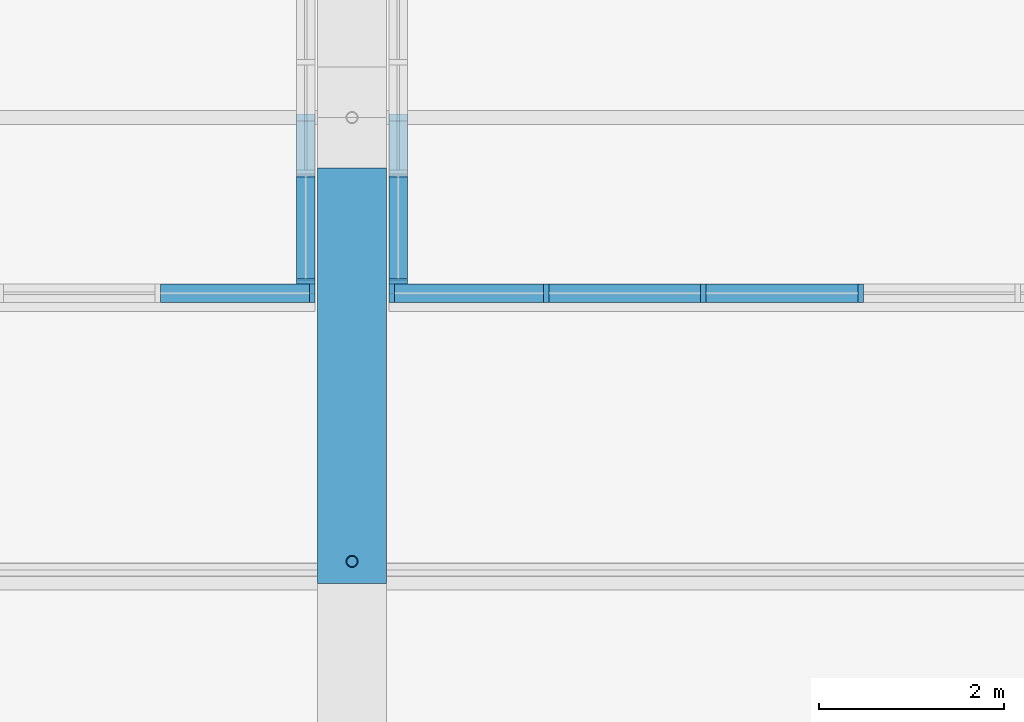
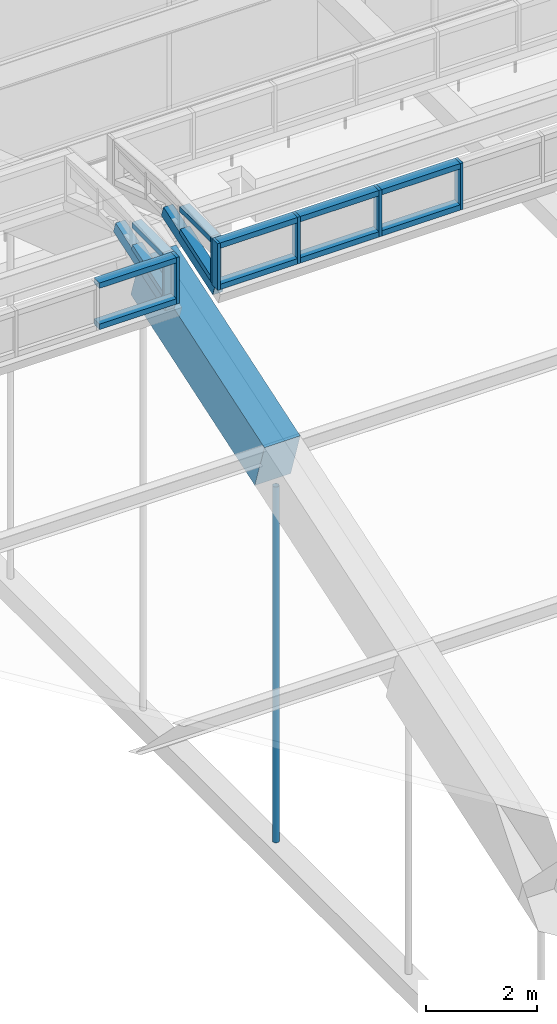
# One storey, part 36 of 149: 22 members, 1 beam, 4 elements without a shape of their own.
"""IFC4 building model written with IfcOpenShell, lengths in metres."""

from ifc_helpers import new_model, si_unit, direction, frame, origin, origin_2d, place, context, subcontext, project, spatial, rectangle, hollow_circle, extrude, material, material_profile, profile_set, type_object, element, aggregate, save


model = new_model("IFC4")

# Units and contexts
model_context = context("Model", 3, precision=1e-05, world=origin(), true_north=direction((0.0, 1.0)))
body_context = subcontext(model_context, "Body", "Model", "MODEL_VIEW")
ifc_project = project(units=[si_unit("LENGTHUNIT", "METRE"), si_unit("AREAUNIT", "SQUARE_METRE"), si_unit("VOLUMEUNIT", "CUBIC_METRE"), si_unit("PLANEANGLEUNIT", "RADIAN"), si_unit("MASSUNIT", "GRAM", prefix="KILO")], contexts=[model_context])

# Site, building, storey
site_placement = place(None, origin())
site = spatial("IfcSite", under=ifc_project, at=site_placement, CompositionType="ELEMENT")
building_placement = place(site_placement, origin())
building = spatial("IfcBuilding", under=site, at=building_placement, Name="Alderwick Market Hall", CompositionType="ELEMENT")
storey_placement = place(building_placement, frame((0.0, 0.0, 9.60009765625)))
storey = spatial("IfcBuildingStorey", under=building, at=storey_placement, Name="L01", CompositionType="ELEMENT", Elevation=9.60009765625)

# Beam
ifc_material_1 = material(Name="Concrete 5000 psi (f'c 35 MPa)", Category="concrete")
ifc_material_profile_1 = material_profile(ifc_material_1, rectangle(XDim=0.75, YDim=1.10009765625, at=origin_2d()), Name="RC 750x1100")
ifc_profile_set_1 = profile_set([ifc_material_profile_1], Name="Concrete 5000 psi (f'c 35 MPa)")
beam_type = type_object("IfcBeamType", Name="R Arch Rib Crown 750x1100", PredefinedType="BEAM", material=ifc_profile_set_1)
beam_placement = place(storey_placement, frame((79.199951171875, 74.336669921875, 14.78955078125), z_axis=(0.0, 0.948678138981, 0.316243242806), x_axis=(-1.0, 0.0, 0.0)))
element("IfcBeam", 1, at=beam_placement, inside=storey, type_object=beam_type, Name="Arch rib 3 chord 6", PredefinedType="BEAM", context=body_context, shape_type="SweptSolid", body=[
    extrude(rectangle(XDim=0.75, YDim=1.10009765625, at=origin_2d()), origin(), (0.0, 0.0, 1.0), 4.732421875),
])

# Curtain wall, member
ifc_material_2 = material(Name="Aluminium", Category="aluminium")
curtain_wall_type = type_object("IfcCurtainWallType", Name="R Curtain Wall Frame", PredefinedType="NOTDEFINED", material=ifc_material_2)
curtain_wall_1_placement = place(storey_placement, origin())
curtain_wall_1 = element("IfcCurtainWall", 2, at=curtain_wall_1_placement, inside=storey, type_object=curtain_wall_type, Name="Curtain wall LCW S2", PredefinedType="NOTDEFINED")
ifc_material_profile_2 = material_profile(ifc_material_2, rectangle(XDim=0.199951171875, YDim=0.06005859375, at=origin_2d()), Name="AL 60x200")
ifc_profile_set_2 = profile_set([ifc_material_profile_2], Name="Aluminium")
member_type_1 = type_object("IfcMemberType", Name="R CW Mullion 60x200", PredefinedType="MULLION", material=ifc_profile_set_2)
member_1_placement = place(storey_placement, frame((78.77001953125, 77.300048828125, 16.670166015625), z_axis=(0.0, 0.0, 1.0), x_axis=(0.0, 1.0, 0.0)))
member_1 = element("IfcMember", 3, at=member_1_placement, type_object=member_type_1, Name="LCW S2 mullion 9", PredefinedType="MULLION", context=body_context, shape_type="SweptSolid", body=[
    extrude(rectangle(XDim=0.199951171875, YDim=0.06005859375, at=origin_2d()), origin(), (0.0, 0.0, 1.0), 1.02978515625),
])

curtain_wall_2_placement = place(storey_placement, origin())
curtain_wall_2 = element("IfcCurtainWall", 4, at=curtain_wall_2_placement, inside=storey, type_object=curtain_wall_type, Name="Curtain wall LCW E2", PredefinedType="NOTDEFINED")
member_2_placement = place(storey_placement, frame((78.699951171875, 77.429931640625, 16.713623046875), z_axis=(0.0, 0.0, 1.0), x_axis=(1.0, 0.0, 0.0)))
member_2 = element("IfcMember", 5, at=member_2_placement, type_object=member_type_1, Name="LCW E2 mullion 1", PredefinedType="MULLION", context=body_context, shape_type="SweptSolid", body=[
    extrude(rectangle(XDim=0.199951171875, YDim=0.06005859375, at=origin_2d()), origin(), (0.0, 0.0, 1.0), 0.986328125),
])

# Curtain wall, members
curtain_wall_3_placement = place(storey_placement, origin())
curtain_wall_3 = element("IfcCurtainWall", 6, at=curtain_wall_3_placement, inside=storey, type_object=curtain_wall_type, Name="Curtain wall LCW S3", PredefinedType="NOTDEFINED")
member_3_placement = place(storey_placement, frame((79.6298828125, 77.300048828125, 16.670166015625), z_axis=(0.0, 0.0, 1.0), x_axis=(0.0, 1.0, 0.0)))
member_3 = element("IfcMember", 7, at=member_3_placement, type_object=member_type_1, Name="LCW S3 mullion 1", PredefinedType="MULLION", context=body_context, shape_type="SweptSolid", body=[
    extrude(rectangle(XDim=0.199951171875, YDim=0.06005859375, at=origin_2d()), origin(), (0.0, 0.0, 1.0), 1.02978515625),
])
member_4_placement = place(storey_placement, frame((81.300048828125, 77.300048828125, 16.670166015625), z_axis=(0.0, 0.0, 1.0), x_axis=(0.0, 1.0, 0.0)))
member_4 = element("IfcMember", 8, at=member_4_placement, type_object=member_type_1, Name="LCW S3 mullion 2", PredefinedType="MULLION", context=body_context, shape_type="SweptSolid", body=[
    extrude(rectangle(XDim=0.199951171875, YDim=0.06005859375, at=origin_2d()), origin(), (0.0, 0.0, 1.0), 1.02978515625),
])
member_5_placement = place(storey_placement, frame((83.0, 77.300048828125, 16.670166015625), z_axis=(0.0, 0.0, 1.0), x_axis=(0.0, 1.0, 0.0)))
member_5 = element("IfcMember", 9, at=member_5_placement, type_object=member_type_1, Name="LCW S3 mullion 3", PredefinedType="MULLION", context=body_context, shape_type="SweptSolid", body=[
    extrude(rectangle(XDim=0.199951171875, YDim=0.06005859375, at=origin_2d()), origin(), (0.0, 0.0, 1.0), 1.02978515625),
])
member_6_placement = place(storey_placement, frame((84.699951171875, 77.300048828125, 16.670166015625), z_axis=(0.0, 0.0, 1.0), x_axis=(0.0, 1.0, 0.0)))
member_6 = element("IfcMember", 10, at=member_6_placement, type_object=member_type_1, Name="LCW S3 mullion 4", PredefinedType="MULLION", context=body_context, shape_type="SweptSolid", body=[
    extrude(rectangle(XDim=0.199951171875, YDim=0.06005859375, at=origin_2d()), origin(), (0.0, 0.0, 1.0), 1.02978515625),
])

# Curtain wall, member
curtain_wall_4_placement = place(storey_placement, origin())
curtain_wall_4 = element("IfcCurtainWall", 11, at=curtain_wall_4_placement, inside=storey, type_object=curtain_wall_type, Name="Curtain wall LCW W3", PredefinedType="NOTDEFINED")
member_7_placement = place(storey_placement, frame((79.699951171875, 77.429931640625, 16.713623046875), z_axis=(0.0, 0.0, 1.0), x_axis=(1.0, 0.0, 0.0)))
member_7 = element("IfcMember", 12, at=member_7_placement, type_object=member_type_1, Name="LCW W3 mullion 1", PredefinedType="MULLION", context=body_context, shape_type="SweptSolid", body=[
    extrude(rectangle(XDim=0.199951171875, YDim=0.06005859375, at=origin_2d()), origin(), (0.0, 0.0, 1.0), 0.986328125),
])

# Member
ifc_material_profile_3 = material_profile(ifc_material_2, rectangle(XDim=0.199951171875, YDim=0.1201171875, at=origin_2d()), Name="AL 120x200")
ifc_profile_set_3 = profile_set([ifc_material_profile_3], Name="Aluminium")
member_type_2 = type_object("IfcMemberType", Name="R CW Transom 120x200", PredefinedType="USERDEFINED", material=ifc_profile_set_3)
member_8_placement = place(storey_placement, frame((77.1298828125, 77.300048828125, 16.730224609375), z_axis=(1.0, 0.0, 0.0), x_axis=(0.0, 1.0, 0.0)))
member_8 = element("IfcMember", 13, at=member_8_placement, type_object=member_type_2, Name="LCW S2 sill transom 8", ObjectType="TRANSOM", PredefinedType="USERDEFINED", context=body_context, shape_type="SweptSolid", body=[
    extrude(rectangle(XDim=0.199951171875, YDim=0.1201171875, at=origin_2d()), origin(), (0.0, 0.0, 1.0), 1.610107421875),
])

member_9_placement = place(storey_placement, frame((77.1298828125, 77.300048828125, 17.639892578125), z_axis=(1.0, 0.0, 0.0), x_axis=(0.0, 1.0, 0.0)))
member_9 = element("IfcMember", 14, at=member_9_placement, type_object=member_type_2, Name="LCW S2 head transom 8", ObjectType="TRANSOM", PredefinedType="USERDEFINED", context=body_context, shape_type="SweptSolid", body=[
    extrude(rectangle(XDim=0.199951171875, YDim=0.1201171875, at=origin_2d()), origin(), (0.0, 0.0, 1.0), 1.610107421875),
])

aggregate(curtain_wall_1, [member_1, member_8, member_9])

member_10_placement = place(storey_placement, frame((78.699951171875, 77.4599609375, 16.783447265625), z_axis=(0.0, 0.948662432506, 0.316290355768), x_axis=(-1.0, 0.0, 0.0)))
member_10 = element("IfcMember", 15, at=member_10_placement, type_object=member_type_2, Name="LCW E2 sill transom 1", ObjectType="TRANSOM", PredefinedType="USERDEFINED", context=body_context, shape_type="SweptSolid", body=[
    extrude(rectangle(XDim=0.199951171875, YDim=0.1201171875, at=origin_2d()), origin(), (0.0, 0.0, 1.0), 1.170166015625),
])

member_11_placement = place(storey_placement, frame((78.699951171875, 77.4599609375, 17.639892578125), z_axis=(0.0, 1.0, 0.0), x_axis=(-1.0, 0.0, 0.0)))
member_11 = element("IfcMember", 16, at=member_11_placement, type_object=member_type_2, Name="LCW E2 head transom 1", ObjectType="TRANSOM", PredefinedType="USERDEFINED", context=body_context, shape_type="SweptSolid", body=[
    extrude(rectangle(XDim=0.199951171875, YDim=0.1201171875, at=origin_2d()), origin(), (0.0, 0.0, 1.0), 1.110107421875),
])

member_12_placement = place(storey_placement, frame((79.659912109375, 77.300048828125, 16.730224609375), z_axis=(1.0, 0.0, 0.0), x_axis=(0.0, 1.0, 0.0)))
member_12 = element("IfcMember", 17, at=member_12_placement, type_object=member_type_2, Name="LCW S3 sill transom 1", ObjectType="TRANSOM", PredefinedType="USERDEFINED", context=body_context, shape_type="SweptSolid", body=[
    extrude(rectangle(XDim=0.199951171875, YDim=0.1201171875, at=origin_2d()), origin(), (0.0, 0.0, 1.0), 1.610107421875),
])

member_13_placement = place(storey_placement, frame((79.659912109375, 77.300048828125, 17.639892578125), z_axis=(1.0, 0.0, 0.0), x_axis=(0.0, 1.0, 0.0)))
member_13 = element("IfcMember", 18, at=member_13_placement, type_object=member_type_2, Name="LCW S3 head transom 1", ObjectType="TRANSOM", PredefinedType="USERDEFINED", context=body_context, shape_type="SweptSolid", body=[
    extrude(rectangle(XDim=0.199951171875, YDim=0.1201171875, at=origin_2d()), origin(), (0.0, 0.0, 1.0), 1.610107421875),
])

member_14_placement = place(storey_placement, frame((81.330078125, 77.300048828125, 16.730224609375), z_axis=(1.0, 0.0, 0.0), x_axis=(0.0, 1.0, 0.0)))
member_14 = element("IfcMember", 19, at=member_14_placement, type_object=member_type_2, Name="LCW S3 sill transom 2", ObjectType="TRANSOM", PredefinedType="USERDEFINED", context=body_context, shape_type="SweptSolid", body=[
    extrude(rectangle(XDim=0.199951171875, YDim=0.1201171875, at=origin_2d()), origin(), (0.0, 0.0, 1.0), 1.639892578125),
])

member_15_placement = place(storey_placement, frame((81.330078125, 77.300048828125, 17.639892578125), z_axis=(1.0, 0.0, 0.0), x_axis=(0.0, 1.0, 0.0)))
member_15 = element("IfcMember", 20, at=member_15_placement, type_object=member_type_2, Name="LCW S3 head transom 2", ObjectType="TRANSOM", PredefinedType="USERDEFINED", context=body_context, shape_type="SweptSolid", body=[
    extrude(rectangle(XDim=0.199951171875, YDim=0.1201171875, at=origin_2d()), origin(), (0.0, 0.0, 1.0), 1.639892578125),
])

member_16_placement = place(storey_placement, frame((83.030029296875, 77.300048828125, 16.730224609375), z_axis=(1.0, 0.0, 0.0), x_axis=(0.0, 1.0, 0.0)))
member_16 = element("IfcMember", 21, at=member_16_placement, type_object=member_type_2, Name="LCW S3 sill transom 3", ObjectType="TRANSOM", PredefinedType="USERDEFINED", context=body_context, shape_type="SweptSolid", body=[
    extrude(rectangle(XDim=0.199951171875, YDim=0.1201171875, at=origin_2d()), origin(), (0.0, 0.0, 1.0), 1.639892578125),
])

member_17_placement = place(storey_placement, frame((83.030029296875, 77.300048828125, 17.639892578125), z_axis=(1.0, 0.0, 0.0), x_axis=(0.0, 1.0, 0.0)))
member_17 = element("IfcMember", 22, at=member_17_placement, type_object=member_type_2, Name="LCW S3 head transom 3", ObjectType="TRANSOM", PredefinedType="USERDEFINED", context=body_context, shape_type="SweptSolid", body=[
    extrude(rectangle(XDim=0.199951171875, YDim=0.1201171875, at=origin_2d()), origin(), (0.0, 0.0, 1.0), 1.639892578125),
])

aggregate(curtain_wall_3, [member_3, member_4, member_5, member_6, member_12, member_13, member_14, member_15, member_16, member_17])

member_18_placement = place(storey_placement, frame((79.699951171875, 77.4599609375, 16.783447265625), z_axis=(0.0, 0.948662432506, 0.316290355768), x_axis=(-1.0, 0.0, 0.0)))
member_18 = element("IfcMember", 23, at=member_18_placement, type_object=member_type_2, Name="LCW W3 sill transom 1", ObjectType="TRANSOM", PredefinedType="USERDEFINED", context=body_context, shape_type="SweptSolid", body=[
    extrude(rectangle(XDim=0.199951171875, YDim=0.1201171875, at=origin_2d()), origin(), (0.0, 0.0, 1.0), 1.170166015625),
])

member_19_placement = place(storey_placement, frame((79.699951171875, 77.4599609375, 17.639892578125), z_axis=(0.0, 1.0, 0.0), x_axis=(-1.0, 0.0, 0.0)))
member_19 = element("IfcMember", 24, at=member_19_placement, type_object=member_type_2, Name="LCW W3 head transom 1", ObjectType="TRANSOM", PredefinedType="USERDEFINED", context=body_context, shape_type="SweptSolid", body=[
    extrude(rectangle(XDim=0.199951171875, YDim=0.1201171875, at=origin_2d()), origin(), (0.0, 0.0, 1.0), 1.110107421875),
])

ifc_material_3 = material(Name="Steel ASTM A500 Grade C", Category="steel")
ifc_material_profile_4 = material_profile(ifc_material_3, hollow_circle(Radius=0.0634765625, WallThickness=0.005859375, at=origin_2d()), Name="HSS5.000x0.250")
ifc_profile_set_4 = profile_set([ifc_material_profile_4], Name="Steel ASTM A500 Grade C")
member_type_3 = type_object("IfcMemberType", Name="R Hanger HSS5.000x0.250", PredefinedType="POST", material=ifc_profile_set_4)
member_20_placement = place(storey_placement, frame((79.199951171875, 74.39990234375, 6.35302734375), z_axis=(0.0, 0.0, 1.0), x_axis=(1.0, 0.0, 0.0)))
element("IfcMember", 25, at=member_20_placement, inside=storey, type_object=member_type_3, Name="Arch hanger 3.5", PredefinedType="POST", context=body_context, shape_type="SweptSolid", body=[
    extrude(hollow_circle(Radius=0.0634765625, WallThickness=0.005859375, at=origin_2d()), origin(), (0.0, 0.0, 1.0), 7.856689453125),
])

ifc_material_4 = material(Name="Steel ASTM A572 Grade 50", Category="steel")
ifc_material_profile_5 = material_profile(ifc_material_4, rectangle(XDim=0.199951171875, YDim=0.25, at=origin_2d()), Name="Steel plate curb 200x250")
ifc_profile_set_5 = profile_set([ifc_material_profile_5], Name="Steel ASTM A572 Grade 50")
member_type_4 = type_object("IfcMemberType", Name="R Lantern Curb 200x250", PredefinedType="MEMBER", material=ifc_profile_set_5)
member_21_placement = place(storey_placement, frame((78.699951171875, 77.335205078125, 16.5849609375), z_axis=(0.0, 0.948683298051, 0.316227766017), x_axis=(-1.0, 0.0, 0.0)))
member_21 = element("IfcMember", 26, at=member_21_placement, type_object=member_type_4, Name="Lantern end curb E2.1", PredefinedType="MEMBER", context=body_context, shape_type="SweptSolid", body=[
    extrude(rectangle(XDim=0.199951171875, YDim=0.25, at=origin_2d()), origin(), (0.0, 0.0, 1.0), 1.965576171875),
])

aggregate(curtain_wall_2, [member_2, member_10, member_11, member_21])

member_22_placement = place(storey_placement, frame((79.699951171875, 77.335205078125, 16.5849609375), z_axis=(0.0, 0.948683298051, 0.316227766017), x_axis=(-1.0, 0.0, 0.0)))
member_22 = element("IfcMember", 27, at=member_22_placement, type_object=member_type_4, Name="Lantern end curb W3.1", PredefinedType="MEMBER", context=body_context, shape_type="SweptSolid", body=[
    extrude(rectangle(XDim=0.199951171875, YDim=0.25, at=origin_2d()), origin(), (0.0, 0.0, 1.0), 1.965576171875),
])

aggregate(curtain_wall_4, [member_7, member_18, member_19, member_22])

save(model, "model.ifc")
